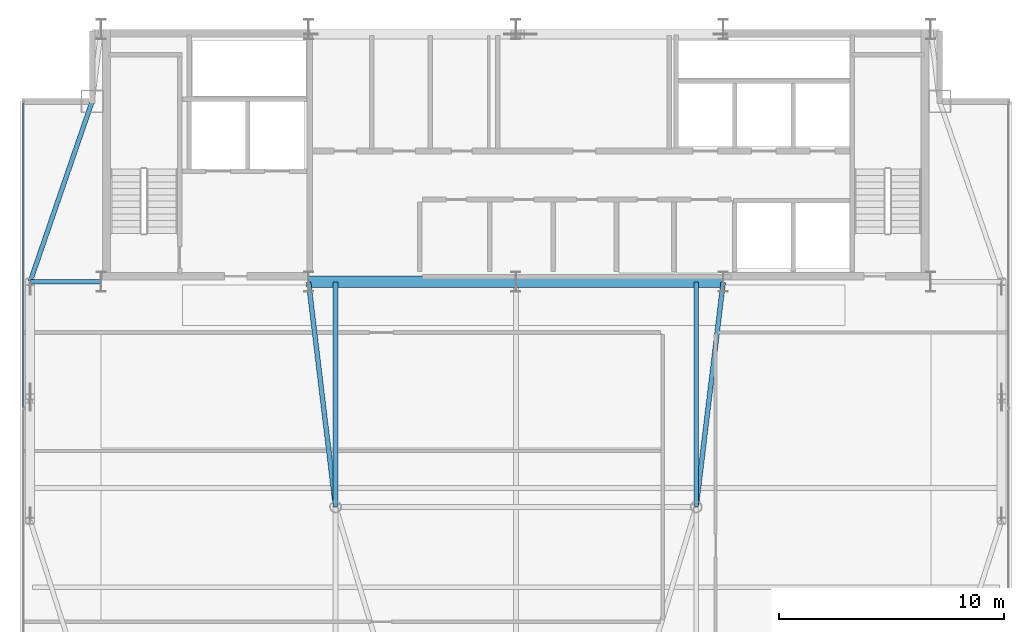
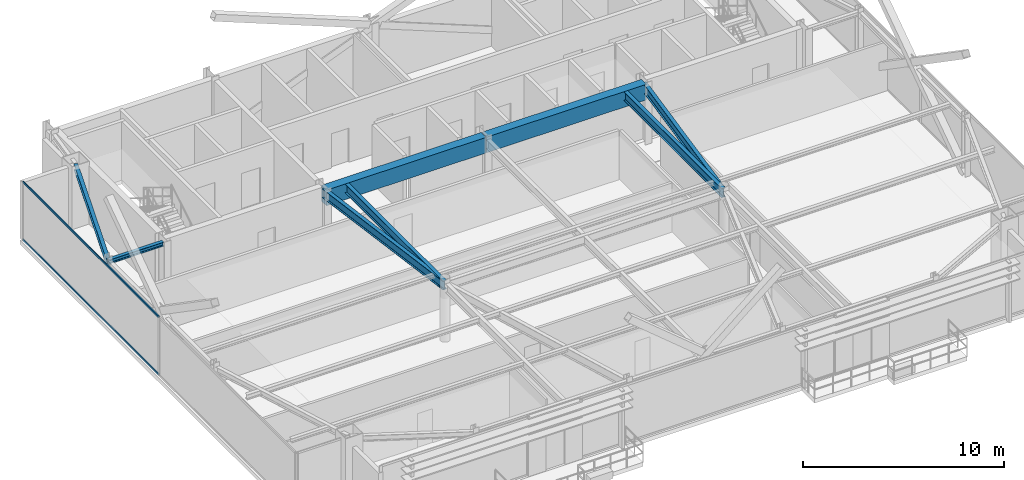
# One storey, part 10 of 25: 8 beams, 2 members, 1 element without a shape of its own.
"""IFC4 building model written with IfcOpenShell, lengths in metres."""

from ifc_helpers import new_model, si_unit, direction, frame, origin, origin_2d, place, context, subcontext, project, spatial, rectangle, hollow_rectangle, i_section, extrude, source, transform, mapped, material, layer, layer_set, material_profile, profile_set, type_object, type_shapes, element, aggregate, save


model = new_model("IFC4")

# Units and contexts
model_context = context("Model", 3, precision=1e-05, world=origin(), true_north=direction((0.0, 1.0)))
body_context = subcontext(model_context, "Body", "Model", "MODEL_VIEW")
ifc_project = project(units=[si_unit("LENGTHUNIT", "METRE"), si_unit("AREAUNIT", "SQUARE_METRE"), si_unit("VOLUMEUNIT", "CUBIC_METRE"), si_unit("PLANEANGLEUNIT", "RADIAN"), si_unit("MASSUNIT", "GRAM", prefix="KILO")], contexts=[model_context])

# Site, building, storey
site_placement = place(None, origin())
site = spatial("IfcSite", under=ifc_project, at=site_placement, CompositionType="ELEMENT")
building_placement = place(site_placement, origin())
building = spatial("IfcBuilding", under=site, at=building_placement, Name="Varnel Quay Broadcast Tower", CompositionType="ELEMENT")
storey_placement = place(building_placement, frame((0.0, 0.0, 288.800048828125)))
storey = spatial("IfcBuildingStorey", under=building, at=storey_placement, Name="L72", CompositionType="ELEMENT", Elevation=288.800048828125)

# Beams
ifc_material_1 = material(Name="Concrete CSA A23.3 C50/60", Category="concrete")
ifc_material_profile_1 = material_profile(ifc_material_1, rectangle(XDim=0.5, YDim=0.949951171875, at=origin_2d()), Name="RC500X950")
ifc_profile_set_1 = profile_set([ifc_material_profile_1], Name="Concrete CSA A23.3 C50/60")
beam_type_1 = type_object("IfcBeamType", Name="Beam_RC500X950", PredefinedType="BEAM", material=ifc_profile_set_1)
shared_shape_1 = source(origin(), body_context, "Body", "SweptSolid", [
    extrude(rectangle(XDim=0.5, YDim=0.949951171875, at=origin_2d()), origin(), (0.0, 0.0, 1.0), 9.159912109375),
])
type_shapes(beam_type_1, [shared_shape_1])
for number, where, z_axis, x_axis, name in (
    (1, (24.820068359375, 35.60009765625, 3.074951171875), (1.0, 0.0, 0.0), (0.0, 1.0, 0.0), "L72 Core Coupling Beam W"),
    (2, (34.02001953125, 35.60009765625, 3.074951171875), (1.0, 0.0, 0.0), (0.0, 1.0, 0.0), "L72 Core Coupling Beam E"),
):
    element("IfcBeam", number, at=place(storey_placement, frame(where, z_axis=z_axis, x_axis=x_axis)), inside=storey, type_object=beam_type_1, Name=name, PredefinedType="BEAM", context=body_context, shape_type="MappedRepresentation", body=[
        mapped(shared_shape_1, transform((0.0, 0.0, 0.0), x_axis=(1.0, 0.0, 0.0), y_axis=(0.0, 1.0, 0.0), z_axis=(0.0, 0.0, 1.0), scale=1.0)),
    ])
ifc_material_2 = material(Name="Structural Steel CSA G40.21 350W", Category="steel")
ifc_material_profile_2 = material_profile(ifc_material_2, i_section(OverallWidth=0.205078125, OverallDepth=0.35400390625, WebThickness=0.009521484375, FlangeThickness=0.016845703125, FilletRadius=0.012939453125, at=origin_2d()), Name="W360X79")
ifc_profile_set_2 = profile_set([ifc_material_profile_2], Name="Structural Steel CSA G40.21 350W")
beam_type_2 = type_object("IfcBeamType", Name="Beam_W360X79", PredefinedType="SPANDREL", material=ifc_profile_set_2)
shared_shape_2 = source(origin(), body_context, "Body", "SweptSolid", [
    extrude(i_section(OverallWidth=0.205078125, OverallDepth=0.35400390625, WebThickness=0.009521484375, FlangeThickness=0.016845703125, FilletRadius=0.012939453125, at=origin_2d()), origin(), (0.0, 0.0, 1.0), 8.41943359375),
])
type_shapes(beam_type_2, [shared_shape_2])
beam_1_placement = place(storey_placement, frame((12.45654296875, 35.618896484375, 3.373046875), z_axis=(0.325087062108, 0.945684092099, 0.0), x_axis=(-0.945684092099, 0.325087062108, 0.0)))
element("IfcBeam", 3, at=beam_1_placement, inside=storey, type_object=beam_type_2, Name="L72 West Spandrel TC-W2-MC-NW", PredefinedType="SPANDREL", context=body_context, shape_type="MappedRepresentation", body=[
    mapped(shared_shape_2, transform((0.0, 0.0, 0.0), x_axis=(1.0, 0.0, 0.0), y_axis=(0.0, 1.0, 0.0), z_axis=(0.0, 0.0, 1.0), scale=1.0)),
])
ifc_material_profile_3 = material_profile(ifc_material_2, i_section(OverallWidth=0.2119140625, OverallDepth=0.5439453125, WebThickness=0.01318359375, FlangeThickness=0.021240234375, FilletRadius=0.013916015625, at=origin_2d()), Name="W530X123")
ifc_profile_set_3 = profile_set([ifc_material_profile_3], Name="Structural Steel CSA G40.21 350W")
beam_type_3 = type_object("IfcBeamType", Name="Girder_W530X123", PredefinedType="BEAM", material=ifc_profile_set_3)
shared_shape_3 = source(origin(), body_context, "Body", "SweptSolid", [
    extrude(i_section(OverallWidth=0.2119140625, OverallDepth=0.5439453125, WebThickness=0.01318359375, FlangeThickness=0.021240234375, FilletRadius=0.013916015625, at=origin_2d()), origin(), (0.0, 0.0, 1.0), 10.021728515625),
])
for number, where, z_axis, x_axis, name in (
    (4, (25.99755859375, 25.6298828125, 3.27783203125), (-0.119248005741, 0.992864498875, 0.0), (-0.992864498875, -0.119248005741, 0.0), "L72 Primary Girder IC-01-CC-S2"),
    (5, (42.00244140625, 25.6298828125, 3.27783203125), (0.119248005741, 0.992864498875, 0.0), (-0.992864498875, 0.119248005741, 0.0), "L72 Primary Girder IC-02-CC-S4"),
):
    element("IfcBeam", number, at=place(storey_placement, frame(where, z_axis=z_axis, x_axis=x_axis)), inside=storey, type_object=beam_type_3, Name=name, PredefinedType="BEAM", context=body_context, shape_type="MappedRepresentation", body=[
        mapped(shared_shape_3, transform((0.0, 0.0, 0.0), x_axis=(1.0, 0.0, 0.0), y_axis=(0.0, 1.0, 0.0), z_axis=(0.0, 0.0, 1.0), scale=1.0)),
    ])
shared_shape_4 = source(origin(), body_context, "Body", "SweptSolid", [
    extrude(i_section(OverallWidth=0.2119140625, OverallDepth=0.5439453125, WebThickness=0.01318359375, FlangeThickness=0.021240234375, FilletRadius=0.013916015625, at=origin_2d()), origin(), (0.0, 0.0, 1.0), 9.9501953125),
])
type_shapes(beam_type_3, [shared_shape_3, shared_shape_4])
for number, where, z_axis, x_axis, name in (
    (6, (26.0, 25.6298828125, 3.27783203125), (0.0, 1.0, 0.0), (-1.0, 0.0, 0.0), "L72 N-S Joist Header IC-01N"),
    (7, (42.0, 25.6298828125, 3.27783203125), (0.0, 1.0, 0.0), (-1.0, 0.0, 0.0), "L72 N-S Joist Header IC-02N"),
):
    element("IfcBeam", number, at=place(storey_placement, frame(where, z_axis=z_axis, x_axis=x_axis)), inside=storey, type_object=beam_type_3, Name=name, PredefinedType="BEAM", context=body_context, shape_type="MappedRepresentation", body=[
        mapped(shared_shape_4, transform((0.0, 0.0, 0.0), x_axis=(1.0, 0.0, 0.0), y_axis=(0.0, 1.0, 0.0), z_axis=(0.0, 0.0, 1.0), scale=1.0)),
    ])
ifc_material_profile_4 = material_profile(ifc_material_2, i_section(OverallWidth=0.201904296875, OverallDepth=0.2470703125, WebThickness=0.00732421875, FlangeThickness=0.010986328125, FilletRadius=0.010986328125, at=origin_2d()), Name="W250X49")
ifc_profile_set_4 = profile_set([ifc_material_profile_4], Name="Structural Steel CSA G40.21 350W")
beam_type_4 = type_object("IfcBeamType", Name="Beam_W250X49", PredefinedType="JOIST", material=ifc_profile_set_4)
shared_shape_5 = source(origin(), body_context, "Body", "SweptSolid", [
    extrude(i_section(OverallWidth=0.201904296875, OverallDepth=0.2470703125, WebThickness=0.00732421875, FlangeThickness=0.010986328125, FilletRadius=0.010986328125, at=origin_2d()), origin(), (0.0, 0.0, 1.0), 3.110107421875),
])
type_shapes(beam_type_4, [shared_shape_5])
beam_2_placement = place(storey_placement, frame((12.469970703125, 35.60009765625, 3.426513671875), z_axis=(1.0, 0.0, 0.0), x_axis=(0.0, 1.0, 0.0)))
element("IfcBeam", 8, at=beam_2_placement, inside=storey, type_object=beam_type_4, Name="L72 West Core Tie Joist", PredefinedType="JOIST", context=body_context, shape_type="MappedRepresentation", body=[
    mapped(shared_shape_5, transform((0.0, 0.0, 0.0), x_axis=(1.0, 0.0, 0.0), y_axis=(0.0, 1.0, 0.0), z_axis=(0.0, 0.0, 1.0), scale=1.0)),
])

# Curtain wall, members
ifc_material_3 = material(Name="Anodised Bronze Aluminium 6063-T6", Category="aluminium")
ifc_layer = layer(ifc_material_3, 0.18994140625, Name="Anodised Bronze Aluminium 6063-T6")
ifc_layer_set = layer_set([ifc_layer], Name="Anodised Bronze Aluminium 6063-T6")
curtain_wall_type = type_object("IfcCurtainWallType", Name="CW_UpperTower", PredefinedType="NOTDEFINED", material=ifc_layer_set)
curtain_wall_placement = place(storey_placement, origin())
curtain_wall = element("IfcCurtainWall", 9, at=curtain_wall_placement, inside=storey, type_object=curtain_wall_type, Name="L72 West Unitised Curtain Wall", PredefinedType="NOTDEFINED")
ifc_material_profile_5 = material_profile(ifc_material_3, hollow_rectangle(XDim=0.06005859375, YDim=0.125, WallThickness=0.0029296875, at=origin_2d()), Name="ALU60X125X3")
ifc_profile_set_5 = profile_set([ifc_material_profile_5], Name="Anodised Bronze Aluminium 6063-T6")
member_type = type_object("IfcMemberType", Name="Tran_CWS-03", PredefinedType="USERDEFINED", material=ifc_profile_set_5)
shared_shape_6 = source(origin(), body_context, "Body", "SweptSolid", [
    extrude(hollow_rectangle(XDim=0.06005859375, YDim=0.125, WallThickness=0.0029296875, at=origin_2d()), origin(), (0.0, 0.0, 1.0), 13.50244140625),
])
type_shapes(member_type, [shared_shape_6])
member_1_placement = place(storey_placement, frame((12.14990234375, 30.032470703125, 0.030029296875), z_axis=(0.0, 1.0, 0.0), x_axis=(-1.0, 0.0, 0.0)))
member_1 = element("IfcMember", 10, at=member_1_placement, type_object=member_type, Name="CWS-03 transom 2.1", ObjectType="TRANSOM", PredefinedType="USERDEFINED", context=body_context, shape_type="MappedRepresentation", body=[
    mapped(shared_shape_6, transform((0.0, 0.0, 0.0), x_axis=(1.0, 0.0, 0.0), y_axis=(0.0, 1.0, 0.0), z_axis=(0.0, 0.0, 1.0), scale=1.0)),
])
member_2_placement = place(storey_placement, frame((12.14990234375, 30.032470703125, 3.52001953125), z_axis=(0.0, 1.0, 0.0), x_axis=(-1.0, 0.0, 0.0)))
member_2 = element("IfcMember", 11, at=member_2_placement, type_object=member_type, Name="CWS-03 transom 2.2", ObjectType="TRANSOM", PredefinedType="USERDEFINED", context=body_context, shape_type="MappedRepresentation", body=[
    mapped(shared_shape_6, transform((0.0, 0.0, 0.0), x_axis=(1.0, 0.0, 0.0), y_axis=(0.0, 1.0, 0.0), z_axis=(0.0, 0.0, 1.0), scale=1.0)),
])
aggregate(curtain_wall, [member_1, member_2])

save(model, "model.ifc")
